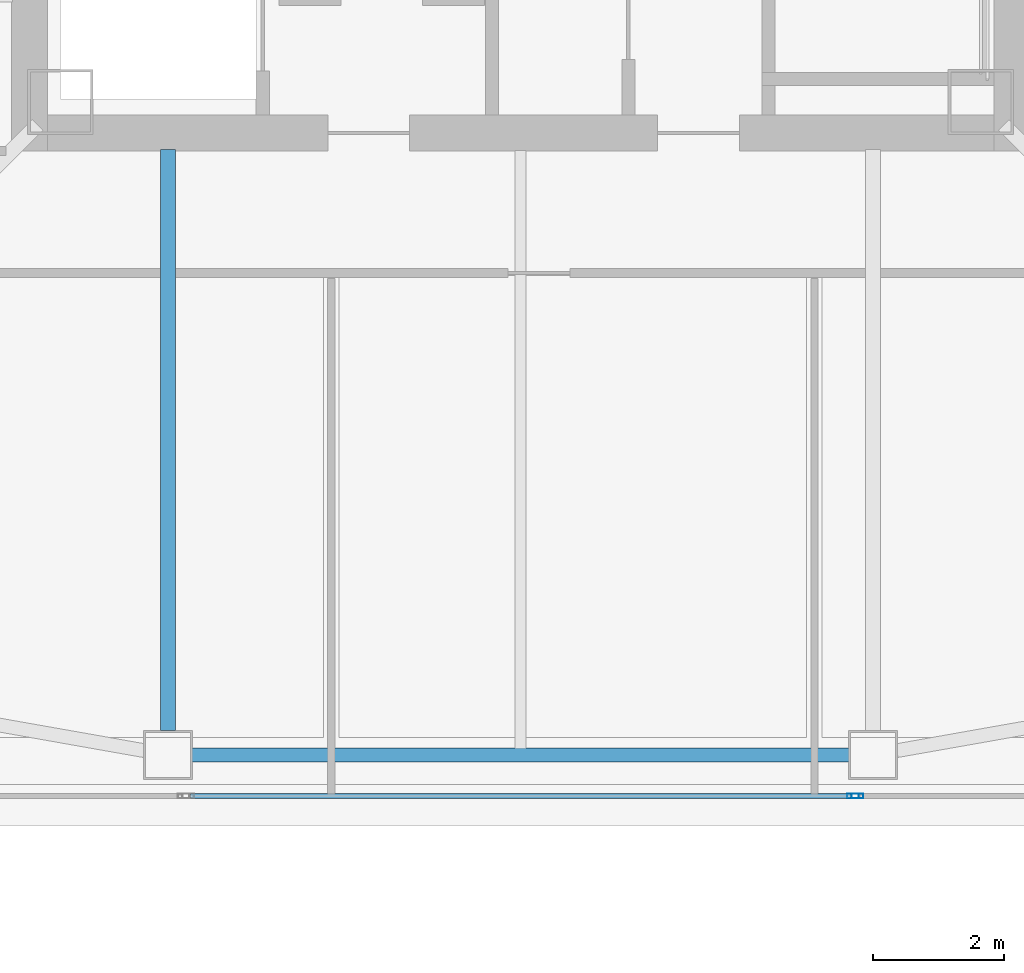
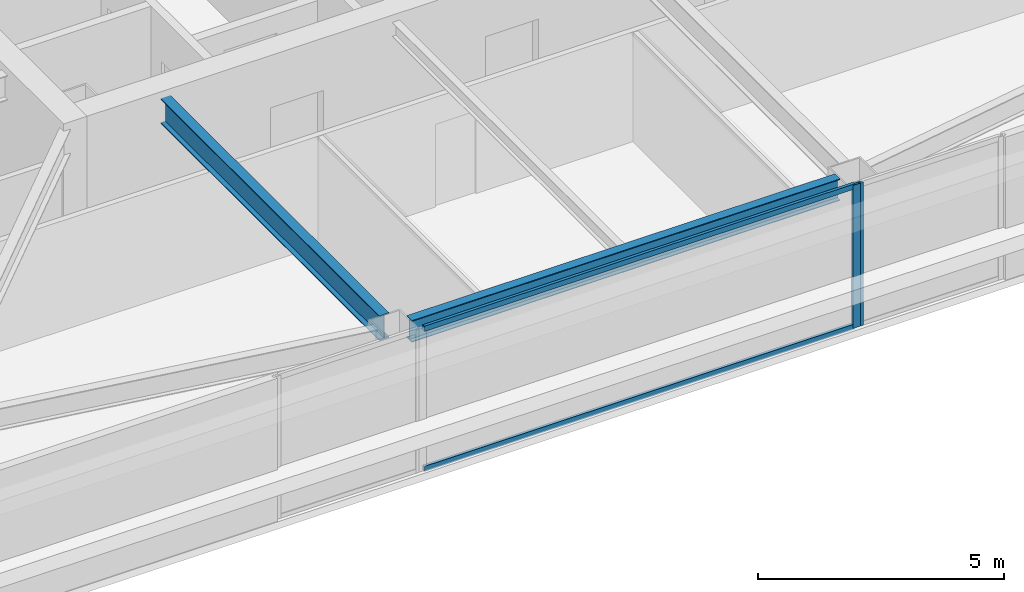
# One storey, part 5 of 42: 4 members, 2 beams, 2 elements without a shape of their own.
"""IFC4 building model written with IfcOpenShell, lengths in metres."""

from ifc_helpers import new_model, si_unit, direction, frame, origin, origin_2d, place, context, subcontext, project, spatial, hollow_rectangle, i_section, extrude, material, material_profile, profile_set, type_object, element, aggregate, save


model = new_model("IFC4")

# Units and contexts
model_context = context("Model", 3, precision=1e-05, world=origin(), true_north=direction((0.0, 1.0)))
body_context = subcontext(model_context, "Body", "Model", "MODEL_VIEW")
ifc_project = project(units=[si_unit("LENGTHUNIT", "METRE"), si_unit("AREAUNIT", "SQUARE_METRE"), si_unit("VOLUMEUNIT", "CUBIC_METRE"), si_unit("PLANEANGLEUNIT", "RADIAN"), si_unit("MASSUNIT", "GRAM", prefix="KILO")], contexts=[model_context])

# Site, building, storey
site_placement = place(None, origin())
site = spatial("IfcSite", under=ifc_project, at=site_placement, CompositionType="ELEMENT")
building_placement = place(site_placement, origin())
building = spatial("IfcBuilding", under=site, at=building_placement, Name="Tashvorn Skyway Center", CompositionType="ELEMENT")
storey_placement = place(building_placement, frame((0.0, 0.0, 164.10009765625)))
storey = spatial("IfcBuildingStorey", under=building, at=storey_placement, Name="L44", CompositionType="ELEMENT", Elevation=164.10009765625)

# Beams
ifc_material_1 = material(Name="Steel ASTM A992 Grade 50", Category="steel")
ifc_material_profile_1 = material_profile(ifc_material_1, i_section(OverallWidth=0.22998046875, OverallDepth=0.616943359375, WebThickness=0.01318359375, FlangeThickness=0.022216796875, at=origin_2d()), Name="W24X94")
ifc_profile_set_1 = profile_set([ifc_material_profile_1], Name="Steel ASTM A992 Grade 50")
beam_type_1 = type_object("IfcBeamType", Name="BM-BEAM-W24X94", PredefinedType="BEAM", material=ifc_profile_set_1)
beam_1_placement = place(storey_placement, frame((36.60009765625, 15.320068359375, 3.0615234375), z_axis=(0.0, 1.0, 0.0), x_axis=(-1.0, 0.0, 0.0)))
element("IfcBeam", 1, at=beam_1_placement, inside=storey, type_object=beam_type_1, Name="Tower 1 L44 Primary Floor Girder FC-S1", PredefinedType="BEAM", context=body_context, shape_type="SweptSolid", body=[
    extrude(i_section(OverallWidth=0.22998046875, OverallDepth=0.616943359375, WebThickness=0.01318359375, FlangeThickness=0.022216796875, at=origin_2d()), origin(), (0.0, 0.0, 1.0), 8.89990234375),
])
ifc_material_profile_2 = material_profile(ifc_material_1, i_section(OverallWidth=0.2109375, OverallDepth=0.5390625, WebThickness=0.01171875, FlangeThickness=0.018798828125, at=origin_2d()), Name="W21X73")
ifc_profile_set_2 = profile_set([ifc_material_profile_2], Name="Steel ASTM A992 Grade 50")
beam_type_2 = type_object("IfcBeamType", Name="BM-SPANDREL-W21X73", PredefinedType="SPANDREL", material=ifc_profile_set_2)
beam_2_placement = place(storey_placement, frame((36.969970703125, 14.949951171875, 3.100341796875), z_axis=(1.0, 0.0, 0.0), x_axis=(0.0, 1.0, 0.0)))
element("IfcBeam", 2, at=beam_2_placement, inside=storey, type_object=beam_type_2, Name="Tower 1 L44 Spandrel Beam 02", PredefinedType="SPANDREL", context=body_context, shape_type="SweptSolid", body=[
    extrude(i_section(OverallWidth=0.2109375, OverallDepth=0.5390625, WebThickness=0.01171875, FlangeThickness=0.018798828125, at=origin_2d()), origin(), (0.0, 0.0, 1.0), 10.06005859375),
])

# Curtain wall, member
ifc_material_2 = material(Name="Thermally broken bronze-anodized aluminium 6063-T6", Category="aluminium")
curtain_wall_type = type_object("IfcCurtainWallType", Name="CW-CW-Z4", PredefinedType="NOTDEFINED", material=ifc_material_2)
curtain_wall_1_placement = place(storey_placement, origin())
curtain_wall_1 = element("IfcCurtainWall", 3, at=curtain_wall_1_placement, inside=storey, type_object=curtain_wall_type, Name="Tower 1 L44 South Unitised Curtain Wall Glazing Group 1", PredefinedType="NOTDEFINED")
ifc_material_profile_3 = material_profile(ifc_material_2, hollow_rectangle(XDim=0.070068359375, YDim=0.179931640625, WallThickness=0.00390625, at=origin_2d()), Name="ALU-MULL-70x180")
ifc_profile_set_3 = profile_set([ifc_material_profile_3], Name="Thermally broken bronze-anodized aluminium 6063-T6")
member_type_1 = type_object("IfcMemberType", Name="CWM-CW-Z4", PredefinedType="MULLION", material=ifc_profile_set_3)
member_1_placement = place(storey_placement, frame((47.16162109375, 14.320068359375, 0.0), z_axis=(0.0, 0.0, 1.0), x_axis=(0.0, -1.0, 0.0)))
member_1 = element("IfcMember", 4, at=member_1_placement, type_object=member_type_1, Name="CW-Z4 mullion 2", PredefinedType="MULLION", context=body_context, shape_type="SweptSolid", body=[
    extrude(hollow_rectangle(XDim=0.070068359375, YDim=0.179931640625, WallThickness=0.00390625, at=origin_2d()), origin(), (0.0, 0.0, 1.0), 3.5498046875),
])
aggregate(curtain_wall_1, [member_1])

# Curtain wall, members
curtain_wall_2_placement = place(storey_placement, origin())
curtain_wall_2 = element("IfcCurtainWall", 5, at=curtain_wall_2_placement, inside=storey, type_object=curtain_wall_type, Name="Tower 1 L44 South Unitised Curtain Wall Glazing Group 2", PredefinedType="NOTDEFINED")
member_2_placement = place(storey_placement, frame((47.091796875, 14.320068359375, 0.0), z_axis=(0.0, 0.0, 1.0), x_axis=(0.0, -1.0, 0.0)))
member_2 = element("IfcMember", 6, at=member_2_placement, type_object=member_type_1, Name="CW-Z4 mullion 1", PredefinedType="MULLION", context=body_context, shape_type="SweptSolid", body=[
    extrude(hollow_rectangle(XDim=0.070068359375, YDim=0.179931640625, WallThickness=0.00390625, at=origin_2d()), origin(), (0.0, 0.0, 1.0), 3.5498046875),
])
ifc_material_profile_4 = material_profile(ifc_material_2, hollow_rectangle(XDim=0.070068359375, YDim=0.1298828125, WallThickness=0.00390625, at=origin_2d()), Name="ALU-TRAN-70x130")
ifc_profile_set_4 = profile_set([ifc_material_profile_4], Name="Thermally broken bronze-anodized aluminium 6063-T6")
member_type_2 = type_object("IfcMemberType", Name="CWT-CW-Z4", PredefinedType="USERDEFINED", material=ifc_profile_set_4)
member_3_placement = place(storey_placement, frame((47.056640625, 14.320068359375, 0.034912109375), z_axis=(-1.0, 0.0, 0.0), x_axis=(0.0, -1.0, 0.0)))
member_3 = element("IfcMember", 7, at=member_3_placement, type_object=member_type_2, Name="CW-Z4 transom 1.1", ObjectType="TRANSOM", PredefinedType="USERDEFINED", context=body_context, shape_type="SweptSolid", body=[
    extrude(hollow_rectangle(XDim=0.070068359375, YDim=0.1298828125, WallThickness=0.00390625, at=origin_2d()), origin(), (0.0, 0.0, 1.0), 10.11328125),
])
member_4_placement = place(storey_placement, frame((47.056640625, 14.320068359375, 3.514892578125), z_axis=(-1.0, 0.0, 0.0), x_axis=(0.0, -1.0, 0.0)))
member_4 = element("IfcMember", 8, at=member_4_placement, type_object=member_type_2, Name="CW-Z4 transom 1.2", ObjectType="TRANSOM", PredefinedType="USERDEFINED", context=body_context, shape_type="SweptSolid", body=[
    extrude(hollow_rectangle(XDim=0.070068359375, YDim=0.1298828125, WallThickness=0.00390625, at=origin_2d()), origin(), (0.0, 0.0, 1.0), 10.11328125),
])
aggregate(curtain_wall_2, [member_2, member_3, member_4])

save(model, "model.ifc")
